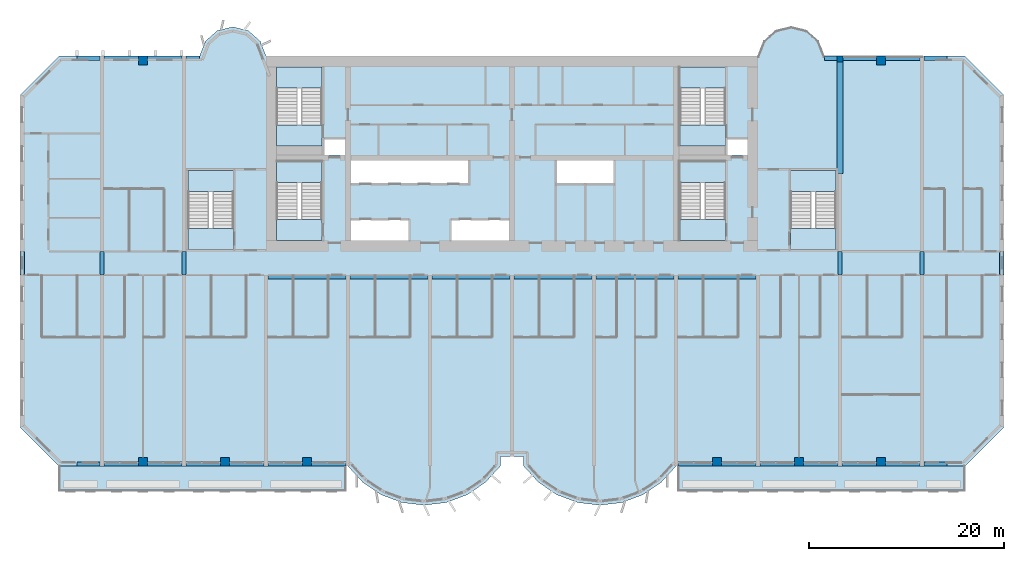
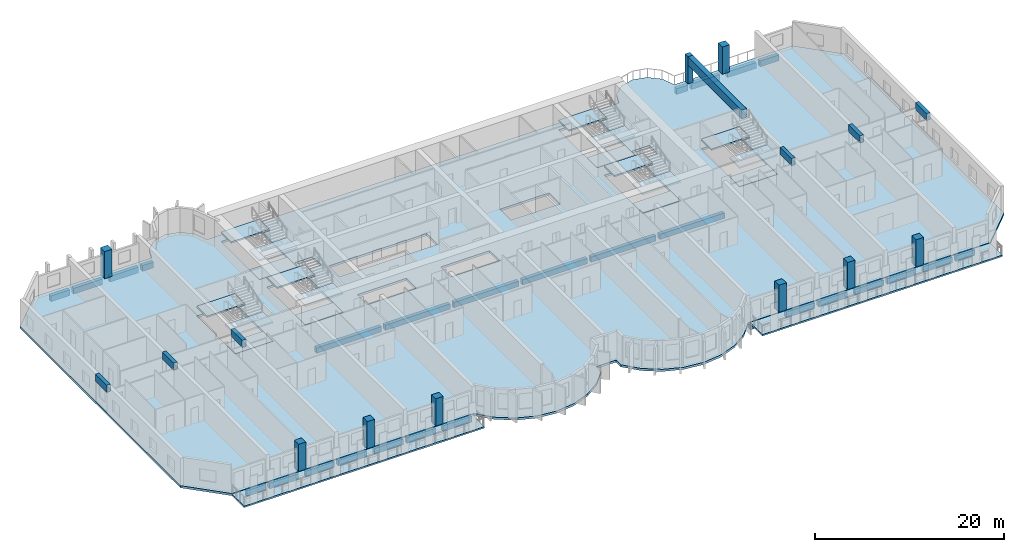
# One storey, part 1 of 14: 35 beams, 21 slabs, 9 columns, 6 elements without a shape of their own.
"""IFC4 building model written with IfcOpenShell, lengths in metres."""

from ifc_helpers import new_model, si_unit, direction, frame, origin, origin_2d, place, context, subcontext, project, spatial, polyline, rectangle, outline, extrude, source, transform, mapped, material, layer, layer_set, material_profile, profile_set, type_object, element, aggregate, save


model = new_model("IFC4")

# Units and contexts
model_context = context("Model", 3, precision=1e-05, world=origin(), true_north=direction((0.0, 1.0)))
body_context = subcontext(model_context, "Body", "Model", "MODEL_VIEW")
ifc_project = project(units=[si_unit("LENGTHUNIT", "METRE"), si_unit("AREAUNIT", "SQUARE_METRE"), si_unit("VOLUMEUNIT", "CUBIC_METRE"), si_unit("PLANEANGLEUNIT", "RADIAN"), si_unit("MASSUNIT", "GRAM", prefix="KILO")], contexts=[model_context])

# Site, building, storey
site_placement = place(None, origin())
site = spatial("IfcSite", under=ifc_project, at=site_placement, CompositionType="ELEMENT")
building_placement = place(site_placement, origin())
building = spatial("IfcBuilding", under=site, at=building_placement, Name="Vanashikhar Sky Hotel", CompositionType="ELEMENT")
storey_placement = place(building_placement, frame((0.0, 0.0, 43.0)))
storey = spatial("IfcBuildingStorey", under=building, at=storey_placement, Name="L09", CompositionType="ELEMENT", Elevation=43.0)

# Columns
ifc_material_1 = material(Name="Concrete M70", Category="concrete")
ifc_material_profile_1 = material_profile(ifc_material_1, rectangle(XDim=0.89990234375, YDim=0.89990234375, at=origin_2d()))
ifc_profile_set_1 = profile_set([ifc_material_profile_1], Name="RC 900x900 column Concrete M70")
column_type_1 = type_object("IfcColumnType", Name="RC 900x900 column Concrete M70", PredefinedType="COLUMN", material=ifc_profile_set_1)
shared_shape_1 = source(origin(), body_context, "Body", "SweptSolid", [
    extrude(rectangle(XDim=0.89990234375, YDim=0.89990234375, at=origin_2d()), origin(), (0.0, 0.0, 1.0), 3.52001953125),
])
for number, where, z_axis, x_axis, name in (
    (1, (12.60009765625, 0.449951171875, 0.0), (0.0, 0.0, 1.0), (1.0, 0.0, 0.0), "CL-L09-CF02"),
    (2, (21.0, 0.449951171875, 0.0), (0.0, 0.0, 1.0), (1.0, 0.0, 0.0), "CL-L09-CF03"),
    (3, (29.39990234375, 0.449951171875, 0.0), (0.0, 0.0, 1.0), (1.0, 0.0, 0.0), "CL-L09-CF04"),
    (4, (71.39990234375, 0.449951171875, 0.0), (0.0, 0.0, 1.0), (1.0, 0.0, 0.0), "CL-L09-CF09"),
    (5, (79.800048828125, 0.449951171875, 0.0), (0.0, 0.0, 1.0), (1.0, 0.0, 0.0), "CL-L09-CF10"),
    (6, (88.199951171875, 0.449951171875, 0.0), (0.0, 0.0, 1.0), (1.0, 0.0, 0.0), "CL-L09-CF11"),
    (7, (12.60009765625, 41.550048828125, 0.0), (0.0, 0.0, 1.0), (1.0, 0.0, 0.0), "CL-L09-CR02"),
    (8, (88.199951171875, 41.550048828125, 0.0), (0.0, 0.0, 1.0), (1.0, 0.0, 0.0), "CL-L09-CR11"),
):
    element("IfcColumn", number, at=place(storey_placement, frame(where, z_axis=z_axis, x_axis=x_axis)), inside=storey, type_object=column_type_1, Name=name, PredefinedType="COLUMN", context=body_context, shape_type="MappedRepresentation", body=[
        mapped(shared_shape_1, transform((0.0, 0.0, 0.0), scale=1.0)),
    ])
ifc_material_profile_2 = material_profile(ifc_material_1, rectangle(XDim=0.60009765625, YDim=0.60009765625, at=origin_2d()))
ifc_profile_set_2 = profile_set([ifc_material_profile_2], Name="RC 600x600 column Concrete M70")
column_type_2 = type_object("IfcColumnType", Name="RC 600x600 column Concrete M70", PredefinedType="COLUMN", material=ifc_profile_set_2)
shared_shape_2 = source(origin(), body_context, "Body", "SweptSolid", [
    extrude(rectangle(XDim=0.60009765625, YDim=0.60009765625, at=origin_2d()), origin(), (0.0, 0.0, 1.0), 3.52001953125),
])
column_placement = place(storey_placement, frame((84.0, 41.699951171875, 0.0), z_axis=(0.0, 0.0, 1.0), x_axis=(1.0, 0.0, 0.0)))
element("IfcColumn", 9, at=column_placement, inside=storey, type_object=column_type_2, Name="CL-L09-CRF", PredefinedType="COLUMN", context=body_context, shape_type="MappedRepresentation", body=[
    mapped(shared_shape_2, transform((0.0, 0.0, 0.0), scale=1.0)),
])

# Beams
ifc_material_2 = material(Name="Concrete M50", Category="concrete")
ifc_material_profile_3 = material_profile(ifc_material_2, rectangle(XDim=0.449951171875, YDim=0.89990234375, at=origin_2d()))
ifc_profile_set_3 = profile_set([ifc_material_profile_3], Name="RC 450x900 beam Concrete M50")
beam_type_1 = type_object("IfcBeamType", Name="RC 450x900 beam Concrete M50", PredefinedType="LINTEL", material=ifc_profile_set_3)
shared_shape_3 = source(origin(), body_context, "Body", "SweptSolid", [
    extrude(rectangle(XDim=0.449951171875, YDim=0.89990234375, at=origin_2d()), origin(), (0.0, 0.0, 1.0), 2.39990234375),
])
for number, where, z_axis, x_axis, name in (
    (10, (0.22509765625, 19.60009765625, 3.070068359375), (0.0, 1.0, 0.0), (-1.0, 0.0, 0.0), "LB-L09-XW01"),
    (11, (8.39990234375, 19.60009765625, 3.070068359375), (0.0, 1.0, 0.0), (-1.0, 0.0, 0.0), "LB-L09-XW02"),
    (12, (16.800048828125, 19.60009765625, 3.070068359375), (0.0, 1.0, 0.0), (-1.0, 0.0, 0.0), "LB-L09-XW03"),
    (13, (84.0, 19.60009765625, 3.070068359375), (0.0, 1.0, 0.0), (-1.0, 0.0, 0.0), "LB-L09-XW11"),
    (14, (92.39990234375, 19.60009765625, 3.070068359375), (0.0, 1.0, 0.0), (-1.0, 0.0, 0.0), "LB-L09-XW12"),
    (15, (100.574951171875, 19.60009765625, 3.070068359375), (0.0, 1.0, 0.0), (-1.0, 0.0, 0.0), "LB-L09-XW13"),
):
    element("IfcBeam", number, at=place(storey_placement, frame(where, z_axis=z_axis, x_axis=x_axis)), inside=storey, type_object=beam_type_1, Name=name, PredefinedType="LINTEL", context=body_context, shape_type="MappedRepresentation", body=[
        mapped(shared_shape_3, transform((0.0, 0.0, 0.0), scale=1.0)),
    ])
ifc_material_profile_4 = material_profile(ifc_material_2, rectangle(XDim=0.449951171875, YDim=0.75, at=origin_2d()))
ifc_profile_set_4 = profile_set([ifc_material_profile_4], Name="RC 450x750 beam Concrete M50")
beam_type_2 = type_object("IfcBeamType", Name="RC 450x750 beam Concrete M50", PredefinedType="SPANDREL", material=ifc_profile_set_4)
shared_shape_4 = source(origin(), body_context, "Body", "SweptSolid", [
    extrude(rectangle(XDim=0.449951171875, YDim=0.75, at=origin_2d()), origin(), (0.0, 0.0, 1.0), 3.52490234375),
])
for number, where, z_axis, x_axis, name in (
    (16, (8.625, 0.22509765625, -0.655029296875), (1.0, 0.0, 0.0), (0.0, 1.0, 0.0), "EB-L09-F01"),
    (17, (13.050048828125, 0.22509765625, -0.655029296875), (1.0, 0.0, 0.0), (0.0, 1.0, 0.0), "EB-L09-F02"),
    (18, (25.425048828125, 0.22509765625, -0.655029296875), (1.0, 0.0, 0.0), (0.0, 1.0, 0.0), "EB-L09-F05"),
    (19, (29.85009765625, 0.22509765625, -0.655029296875), (1.0, 0.0, 0.0), (0.0, 1.0, 0.0), "EB-L09-F06"),
    (20, (67.425048828125, 0.22509765625, -0.655029296875), (1.0, 0.0, 0.0), (0.0, 1.0, 0.0), "EB-L09-F08"),
    (21, (71.85009765625, 0.22509765625, -0.655029296875), (1.0, 0.0, 0.0), (0.0, 1.0, 0.0), "EB-L09-F09"),
    (22, (80.25, 0.22509765625, -0.655029296875), (1.0, 0.0, 0.0), (0.0, 1.0, 0.0), "EB-L09-F11"),
    (23, (84.22509765625, 0.22509765625, -0.655029296875), (1.0, 0.0, 0.0), (0.0, 1.0, 0.0), "EB-L09-F12"),
    (24, (8.625, 41.77490234375, -0.655029296875), (1.0, 0.0, 0.0), (0.0, 1.0, 0.0), "EB-L09-R01"),
    (25, (13.050048828125, 41.77490234375, -0.655029296875), (1.0, 0.0, 0.0), (0.0, 1.0, 0.0), "EB-L09-R02"),
    (26, (84.22509765625, 41.77490234375, -0.655029296875), (1.0, 0.0, 0.0), (0.0, 1.0, 0.0), "EB-L09-R05"),
):
    element("IfcBeam", number, at=place(storey_placement, frame(where, z_axis=z_axis, x_axis=x_axis)), inside=storey, type_object=beam_type_2, Name=name, PredefinedType="SPANDREL", context=body_context, shape_type="MappedRepresentation", body=[
        mapped(shared_shape_4, transform((0.0, 0.0, 0.0), scale=1.0)),
    ])
shared_shape_5 = source(origin(), body_context, "Body", "SweptSolid", [
    extrude(rectangle(XDim=0.449951171875, YDim=0.75, at=origin_2d()), origin(), (0.0, 0.0, 1.0), 3.525146484375),
])
for number, where, z_axis, x_axis, name in (
    (27, (17.02490234375, 0.22509765625, -0.655029296875), (1.0, 0.0, 0.0), (0.0, 1.0, 0.0), "EB-L09-F03"),
    (28, (21.449951171875, 0.22509765625, -0.655029296875), (1.0, 0.0, 0.0), (0.0, 1.0, 0.0), "EB-L09-F04"),
    (29, (75.824951171875, 0.22509765625, -0.655029296875), (1.0, 0.0, 0.0), (0.0, 1.0, 0.0), "EB-L09-F10"),
    (30, (88.64990234375, 0.22509765625, -0.655029296875), (1.0, 0.0, 0.0), (0.0, 1.0, 0.0), "EB-L09-F13"),
    (31, (88.64990234375, 41.77490234375, -0.655029296875), (1.0, 0.0, 0.0), (0.0, 1.0, 0.0), "EB-L09-R06"),
):
    element("IfcBeam", number, at=place(storey_placement, frame(where, z_axis=z_axis, x_axis=x_axis)), inside=storey, type_object=beam_type_2, Name=name, PredefinedType="SPANDREL", context=body_context, shape_type="MappedRepresentation", body=[
        mapped(shared_shape_5, transform((0.0, 0.0, 0.0), scale=1.0)),
    ])
ifc_material_profile_5 = material_profile(ifc_material_2, rectangle(XDim=0.449951171875, YDim=0.75, at=origin_2d()))
ifc_profile_set_5 = profile_set([ifc_material_profile_5], Name="RC 450x750 cantilever beam Concrete M50")
beam_type_3 = type_object("IfcBeamType", Name="RC 450x750 cantilever beam Concrete M50", PredefinedType="SPANDREL", material=ifc_profile_set_5)
shared_shape_6 = source(origin(), body_context, "Body", "SweptSolid", [
    extrude(rectangle(XDim=0.449951171875, YDim=0.75, at=origin_2d()), origin(), (0.0, 0.0, 1.0), 2.330078125),
])
for number, where, z_axis, x_axis, name in (
    (32, (5.844970703125, 0.22509765625, -0.655029296875), (1.0, 0.0, 0.0), (0.0, 1.0, 0.0), "EB-L09-F07"),
    (33, (92.625, 0.22509765625, -0.655029296875), (1.0, 0.0, 0.0), (0.0, 1.0, 0.0), "EB-L09-F14"),
    (34, (5.844970703125, 41.77490234375, -0.655029296875), (1.0, 0.0, 0.0), (0.0, 1.0, 0.0), "EB-L09-R03"),
    (35, (92.625, 41.77490234375, -0.655029296875), (1.0, 0.0, 0.0), (0.0, 1.0, 0.0), "EB-L09-R08"),
):
    element("IfcBeam", number, at=place(storey_placement, frame(where, z_axis=z_axis, x_axis=x_axis)), inside=storey, type_object=beam_type_3, Name=name, PredefinedType="SPANDREL", context=body_context, shape_type="MappedRepresentation", body=[
        mapped(shared_shape_6, transform((0.0, 0.0, 0.0), scale=1.0)),
    ])
shared_shape_7 = source(origin(), body_context, "Body", "SweptSolid", [
    extrude(rectangle(XDim=0.449951171875, YDim=0.75, at=origin_2d()), origin(), (0.0, 0.0, 1.0), 1.375),
])
for number, where, z_axis, x_axis, name in (
    (36, (17.02490234375, 41.77490234375, -0.655029296875), (1.0, 0.0, 0.0), (0.0, 1.0, 0.0), "EB-L09-R04"),
    (37, (82.39990234375, 41.77490234375, -0.655029296875), (1.0, 0.0, 0.0), (0.0, 1.0, 0.0), "EB-L09-R07"),
):
    element("IfcBeam", number, at=place(storey_placement, frame(where, z_axis=z_axis, x_axis=x_axis)), inside=storey, type_object=beam_type_3, Name=name, PredefinedType="SPANDREL", context=body_context, shape_type="MappedRepresentation", body=[
        mapped(shared_shape_7, transform((0.0, 0.0, 0.0), scale=1.0)),
    ])
ifc_material_profile_6 = material_profile(ifc_material_2, rectangle(XDim=0.449951171875, YDim=0.699951171875, at=origin_2d()))
ifc_profile_set_6 = profile_set([ifc_material_profile_6], Name="RC 450x700 beam Concrete M50")
beam_type_4 = type_object("IfcBeamType", Name="RC 450x700 beam Concrete M50", PredefinedType="BEAM", material=ifc_profile_set_6)
shared_shape_8 = source(origin(), body_context, "Body", "SweptSolid", [
    extrude(rectangle(XDim=0.449951171875, YDim=0.699951171875, at=origin_2d()), origin(), (0.0, 0.0, 1.0), 7.949951171875),
])
for number, where, z_axis, x_axis, name in (
    (38, (25.425048828125, 19.375, -0.6298828125), (1.0, 0.0, 0.0), (0.0, 1.0, 0.0), "CB-L09-01"),
    (39, (33.824951171875, 19.375, -0.6298828125), (1.0, 0.0, 0.0), (0.0, 1.0, 0.0), "CB-L09-02"),
    (40, (42.22509765625, 19.375, -0.6298828125), (1.0, 0.0, 0.0), (0.0, 1.0, 0.0), "CB-L09-03"),
    (41, (50.625, 19.375, -0.6298828125), (1.0, 0.0, 0.0), (0.0, 1.0, 0.0), "CB-L09-04"),
    (42, (67.425048828125, 19.375, -0.6298828125), (1.0, 0.0, 0.0), (0.0, 1.0, 0.0), "CB-L09-06"),
):
    element("IfcBeam", number, at=place(storey_placement, frame(where, z_axis=z_axis, x_axis=x_axis)), inside=storey, type_object=beam_type_4, Name=name, PredefinedType="BEAM", context=body_context, shape_type="MappedRepresentation", body=[
        mapped(shared_shape_8, transform((0.0, 0.0, 0.0), scale=1.0)),
    ])
shared_shape_9 = source(origin(), body_context, "Body", "SweptSolid", [
    extrude(rectangle(XDim=0.449951171875, YDim=0.699951171875, at=origin_2d()), origin(), (0.0, 0.0, 1.0), 7.9501953125),
])
beam_1_placement = place(storey_placement, frame((59.02490234375, 19.375, -0.6298828125), z_axis=(1.0, 0.0, 0.0), x_axis=(0.0, 1.0, 0.0)))
element("IfcBeam", 43, at=beam_1_placement, inside=storey, type_object=beam_type_4, Name="CB-L09-05", PredefinedType="BEAM", context=body_context, shape_type="MappedRepresentation", body=[
    mapped(shared_shape_9, transform((0.0, 0.0, 0.0), scale=1.0)),
])
ifc_material_profile_7 = material_profile(ifc_material_2, rectangle(XDim=0.60009765625, YDim=1.10009765625, at=origin_2d()))
ifc_profile_set_7 = profile_set([ifc_material_profile_7], Name="RC 600x1100 beam Concrete M50")
beam_type_5 = type_object("IfcBeamType", Name="RC 600x1100 beam Concrete M50", PredefinedType="BEAM", material=ifc_profile_set_7)
shared_shape_10 = source(origin(), body_context, "Body", "SweptSolid", [
    extrude(rectangle(XDim=0.60009765625, YDim=1.10009765625, at=origin_2d()), origin(), (0.0, 0.0, 1.0), 11.39990234375),
])
beam_2_placement = place(storey_placement, frame((84.0, 30.0, 2.969970703125), z_axis=(0.0, 1.0, 0.0), x_axis=(-1.0, 0.0, 0.0)))
element("IfcBeam", 44, at=beam_2_placement, inside=storey, type_object=beam_type_5, Name="LB-L09-XW11-O1", PredefinedType="BEAM", context=body_context, shape_type="MappedRepresentation", body=[
    mapped(shared_shape_10, transform((0.0, 0.0, 0.0), scale=1.0)),
])

# Slabs
ifc_material_3 = material(Name="Concrete M40", Category="concrete")
ifc_layer_1 = layer(ifc_material_3, 0.280029296875)
ifc_layer_set_1 = layer_set([ifc_layer_1], Name="Floor slab 280 mm")
slab_type_1 = type_object("IfcSlabType", Name="Floor slab 280 mm", PredefinedType="FLOOR", material=ifc_layer_set_1)
shared_shape_11 = source(origin(), body_context, "Body", "SweptSolid", [
    extrude(outline(polyline([(49.199951171875, 0.0), (49.199951171875, 1.0), (51.60009765625, 1.0), (51.60009765625, 0.0), (53.133056640625, -1.674072265625), (55.01708984375, -2.94189453125), (57.14599609375, -3.73193359375), (59.39990234375, -4.0), (61.654052734375, -3.73193359375), (63.782958984375, -2.94189453125), (65.6669921875, -1.674072265625), (67.199951171875, 0.0), (96.800048828125, 0.0), (100.800048828125, 4.0), (100.800048828125, 38.0), (96.800048828125, 42.0), (82.39990234375, 42.0), (81.81494140625, 43.527099609375), (80.587890625, 44.610107421875), (79.0, 45.0), (77.412109375, 44.610107421875), (76.18505859375, 43.527099609375), (75.60009765625, 42.0), (25.199951171875, 42.0), (24.614990234375, 43.527099609375), (23.387939453125, 44.610107421875), (21.800048828125, 45.0), (20.2119140625, 44.610107421875), (18.985107421875, 43.527099609375), (18.39990234375, 42.0), (4.0, 42.0), (0.0, 38.0), (0.0, 4.0), (4.0, 0.0), (33.60009765625, 0.0), (35.133056640625, -1.674072265625), (37.01708984375, -2.94189453125), (39.14599609375, -3.73193359375), (41.39990234375, -4.0), (43.654052734375, -3.73193359375), (45.782958984375, -2.94189453125), (47.6669921875, -1.674072265625), (49.199951171875, 0.0)]), holes=[polyline([(33.300048828125, 33.60009765625), (31.050048828125, 33.60009765625), (31.050048828125, 31.89990234375), (33.300048828125, 31.89990234375), (33.300048828125, 33.60009765625)]), polyline([(33.89990234375, 25.199951171875), (33.89990234375, 23.10009765625), (39.89990234375, 23.10009765625), (39.89990234375, 25.199951171875), (33.89990234375, 25.199951171875)]), polyline([(33.89990234375, 31.300048828125), (33.89990234375, 29.0), (45.89990234375, 29.0), (45.89990234375, 31.300048828125), (33.89990234375, 31.300048828125)]), polyline([(44.10009765625, 25.199951171875), (44.10009765625, 23.10009765625), (50.10009765625, 23.10009765625), (50.10009765625, 25.199951171875), (44.10009765625, 25.199951171875)]), polyline([(54.89990234375, 31.300048828125), (54.89990234375, 29.0), (60.89990234375, 29.0), (60.89990234375, 31.300048828125), (54.89990234375, 31.300048828125)]), polyline([(74.5, 33.60009765625), (72.35009765625, 33.60009765625), (72.35009765625, 31.89990234375), (74.5, 31.89990234375), (74.5, 33.60009765625)]), polyline([(30.949951171875, 23.10009765625), (30.949951171875, 31.199951171875), (26.300048828125, 31.199951171875), (26.300048828125, 23.10009765625), (30.949951171875, 23.10009765625)]), polyline([(72.25, 23.10009765625), (72.25, 31.199951171875), (67.60009765625, 31.199951171875), (67.60009765625, 23.10009765625), (72.25, 23.10009765625)]), polyline([(30.949951171875, 32.800048828125), (30.949951171875, 40.89990234375), (26.300048828125, 40.89990234375), (26.300048828125, 32.800048828125), (30.949951171875, 32.800048828125)]), polyline([(72.25, 32.800048828125), (72.25, 40.89990234375), (67.60009765625, 40.89990234375), (67.60009765625, 32.800048828125), (72.25, 32.800048828125)]), polyline([(83.60009765625, 22.199951171875), (83.60009765625, 30.300048828125), (78.949951171875, 30.300048828125), (78.949951171875, 22.199951171875), (83.60009765625, 22.199951171875)]), polyline([(21.85009765625, 22.199951171875), (21.85009765625, 30.300048828125), (17.199951171875, 30.300048828125), (17.199951171875, 22.199951171875), (21.85009765625, 22.199951171875)])]), origin(), (0.0, 0.0, 1.0), 0.280029296875),
])
slab_1_placement = place(storey_placement, frame((0.0, 0.0, -0.280029296875)))
element("IfcSlab", 45, at=slab_1_placement, inside=storey, type_object=slab_type_1, Name="Floor slab L09", PredefinedType="FLOOR", context=body_context, shape_type="MappedRepresentation", body=[
    mapped(shared_shape_11, transform((0.0, 0.0, 0.0), scale=1.0)),
])
ifc_layer_2 = layer(ifc_material_3, 0.199951171875)
ifc_layer_set_2 = layer_set([ifc_layer_2], Name="Balcony slab 200 mm")
slab_type_2 = type_object("IfcSlabType", Name="Balcony slab 200 mm", PredefinedType="USERDEFINED", material=ifc_layer_set_2)
shared_shape_12 = source(origin(), body_context, "Body", "SweptSolid", [
    extrude(outline(polyline([(4.0, -2.60009765625), (33.39990234375, -2.60009765625), (33.39990234375, 0.0), (4.0, 0.0), (4.0, -2.60009765625)])), origin(), (0.0, 0.0, 1.0), 0.199951171875),
])
slab_2_placement = place(storey_placement, frame((0.0, 0.0, -0.25)))
element("IfcSlab", 46, at=slab_2_placement, inside=storey, type_object=slab_type_2, Name="Balcony slab L09 1", ObjectType="BALCONY", PredefinedType="USERDEFINED", context=body_context, shape_type="MappedRepresentation", body=[
    mapped(shared_shape_12, transform((0.0, 0.0, 0.0), scale=1.0)),
])
shared_shape_13 = source(origin(), body_context, "Body", "SweptSolid", [
    extrude(outline(polyline([(67.39990234375, -2.60009765625), (96.800048828125, -2.60009765625), (96.800048828125, 0.0), (67.39990234375, 0.0), (67.39990234375, -2.60009765625)])), origin(), (0.0, 0.0, 1.0), 0.199951171875),
])
slab_3_placement = place(storey_placement, frame((0.0, 0.0, -0.25)))
element("IfcSlab", 47, at=slab_3_placement, inside=storey, type_object=slab_type_2, Name="Balcony slab L09 2", ObjectType="BALCONY", PredefinedType="USERDEFINED", context=body_context, shape_type="MappedRepresentation", body=[
    mapped(shared_shape_13, transform((0.0, 0.0, 0.0), scale=1.0)),
])

# Stair, slabs
stair_type = type_object("IfcStairType", Name="Exit stair 2150", PredefinedType="DOUBLE_RETURN_STAIR", material=ifc_material_3)
stair_1_placement = place(storey_placement, origin())
stair_1 = element("IfcStair", 48, at=stair_1_placement, inside=storey, type_object=stair_type, Name="L09 Exit stair 1", PredefinedType="DOUBLE_RETURN_STAIR")
ifc_layer_3 = layer(ifc_material_3, 0.199951171875)
ifc_layer_set_3 = layer_set([ifc_layer_3], Name="Stair landing 200")
slab_type_3 = type_object("IfcSlabType", Name="Stair landing 200", PredefinedType="LANDING", material=ifc_layer_set_3)
shared_shape_14 = source(origin(), body_context, "Body", "SweptSolid", [
    extrude(outline(polyline([(30.949951171875, 29.050048828125), (30.949951171875, 31.199951171875), (26.300048828125, 31.199951171875), (26.300048828125, 29.050048828125), (30.949951171875, 29.050048828125)])), origin(), (0.0, 0.0, 1.0), 0.199951171875),
])
slab_4_placement = place(storey_placement, frame((0.0, 0.0, 1.066650390625)))
slab_4 = element("IfcSlab", 49, at=slab_4_placement, type_object=slab_type_3, Name="ST-C1 landing 1", PredefinedType="LANDING", context=body_context, shape_type="MappedRepresentation", body=[
    mapped(shared_shape_14, transform((0.0, 0.0, 0.0), scale=1.0)),
])
shared_shape_15 = source(origin(), body_context, "Body", "SweptSolid", [
    extrude(outline(polyline([(30.949951171875, 23.10009765625), (30.949951171875, 25.25), (26.300048828125, 25.25), (26.300048828125, 23.10009765625), (30.949951171875, 23.10009765625)])), origin(), (0.0, 0.0, 1.0), 0.2001953125),
])
slab_5_placement = place(storey_placement, frame((0.0, 0.0, 2.333251953125)))
slab_5 = element("IfcSlab", 50, at=slab_5_placement, type_object=slab_type_3, Name="ST-C1 landing 2", PredefinedType="LANDING", context=body_context, shape_type="MappedRepresentation", body=[
    mapped(shared_shape_15, transform((0.0, 0.0, 0.0), scale=1.0)),
])
aggregate(stair_1, [slab_4, slab_5])

# Slab
ifc_layer_4 = layer(ifc_material_3, 0.280029296875)
ifc_layer_set_4 = layer_set([ifc_layer_4], Name="Stair floor landing 280")
slab_type_4 = type_object("IfcSlabType", Name="Stair floor landing 280", PredefinedType="LANDING", material=ifc_layer_set_4)
shared_shape_16 = source(origin(), body_context, "Body", "SweptSolid", [
    extrude(outline(polyline([(30.949951171875, 23.10009765625), (30.949951171875, 25.25), (26.300048828125, 25.25), (26.300048828125, 23.10009765625), (30.949951171875, 23.10009765625)])), origin(), (0.0, 0.0, 1.0), 0.280029296875),
])
slab_6_placement = place(storey_placement, frame((0.0, 0.0, -0.280029296875)))
element("IfcSlab", 51, at=slab_6_placement, inside=storey, type_object=slab_type_4, Name="Exit stair 1 floor landing", PredefinedType="LANDING", context=body_context, shape_type="MappedRepresentation", body=[
    mapped(shared_shape_16, transform((0.0, 0.0, 0.0), scale=1.0)),
])

# Stair, slabs
stair_2_placement = place(storey_placement, origin())
stair_2 = element("IfcStair", 52, at=stair_2_placement, inside=storey, type_object=stair_type, Name="L09 Exit stair 2", PredefinedType="DOUBLE_RETURN_STAIR")
shared_shape_17 = source(origin(), body_context, "Body", "SweptSolid", [
    extrude(outline(polyline([(72.25, 29.050048828125), (72.25, 31.199951171875), (67.60009765625, 31.199951171875), (67.60009765625, 29.050048828125), (72.25, 29.050048828125)])), origin(), (0.0, 0.0, 1.0), 0.199951171875),
])
slab_7_placement = place(storey_placement, frame((0.0, 0.0, 1.066650390625)))
slab_7 = element("IfcSlab", 53, at=slab_7_placement, type_object=slab_type_3, Name="ST-C2 landing 1", PredefinedType="LANDING", context=body_context, shape_type="MappedRepresentation", body=[
    mapped(shared_shape_17, transform((0.0, 0.0, 0.0), scale=1.0)),
])
shared_shape_18 = source(origin(), body_context, "Body", "SweptSolid", [
    extrude(outline(polyline([(72.25, 23.10009765625), (72.25, 25.25), (67.60009765625, 25.25), (67.60009765625, 23.10009765625), (72.25, 23.10009765625)])), origin(), (0.0, 0.0, 1.0), 0.2001953125),
])
slab_8_placement = place(storey_placement, frame((0.0, 0.0, 2.333251953125)))
slab_8 = element("IfcSlab", 54, at=slab_8_placement, type_object=slab_type_3, Name="ST-C2 landing 2", PredefinedType="LANDING", context=body_context, shape_type="MappedRepresentation", body=[
    mapped(shared_shape_18, transform((0.0, 0.0, 0.0), scale=1.0)),
])
aggregate(stair_2, [slab_7, slab_8])

# Slab
shared_shape_19 = source(origin(), body_context, "Body", "SweptSolid", [
    extrude(outline(polyline([(72.25, 23.10009765625), (72.25, 25.25), (67.60009765625, 25.25), (67.60009765625, 23.10009765625), (72.25, 23.10009765625)])), origin(), (0.0, 0.0, 1.0), 0.280029296875),
])
slab_9_placement = place(storey_placement, frame((0.0, 0.0, -0.280029296875)))
element("IfcSlab", 55, at=slab_9_placement, inside=storey, type_object=slab_type_4, Name="Exit stair 2 floor landing", PredefinedType="LANDING", context=body_context, shape_type="MappedRepresentation", body=[
    mapped(shared_shape_19, transform((0.0, 0.0, 0.0), scale=1.0)),
])

# Stair, slabs
stair_3_placement = place(storey_placement, origin())
stair_3 = element("IfcStair", 56, at=stair_3_placement, inside=storey, type_object=stair_type, Name="L09 Exit stair 3", PredefinedType="DOUBLE_RETURN_STAIR")
shared_shape_20 = source(origin(), body_context, "Body", "SweptSolid", [
    extrude(outline(polyline([(21.85009765625, 28.14990234375), (21.85009765625, 30.300048828125), (17.199951171875, 30.300048828125), (17.199951171875, 28.14990234375), (21.85009765625, 28.14990234375)])), origin(), (0.0, 0.0, 1.0), 0.199951171875),
])
slab_10_placement = place(storey_placement, frame((0.0, 0.0, 1.066650390625)))
slab_10 = element("IfcSlab", 57, at=slab_10_placement, type_object=slab_type_3, Name="ST-W landing 1", PredefinedType="LANDING", context=body_context, shape_type="MappedRepresentation", body=[
    mapped(shared_shape_20, transform((0.0, 0.0, 0.0), scale=1.0)),
])
shared_shape_21 = source(origin(), body_context, "Body", "SweptSolid", [
    extrude(outline(polyline([(21.85009765625, 22.199951171875), (21.85009765625, 24.35009765625), (17.199951171875, 24.35009765625), (17.199951171875, 22.199951171875), (21.85009765625, 22.199951171875)])), origin(), (0.0, 0.0, 1.0), 0.2001953125),
])
slab_11_placement = place(storey_placement, frame((0.0, 0.0, 2.333251953125)))
slab_11 = element("IfcSlab", 58, at=slab_11_placement, type_object=slab_type_3, Name="ST-W landing 2", PredefinedType="LANDING", context=body_context, shape_type="MappedRepresentation", body=[
    mapped(shared_shape_21, transform((0.0, 0.0, 0.0), scale=1.0)),
])
aggregate(stair_3, [slab_10, slab_11])

# Slab
shared_shape_22 = source(origin(), body_context, "Body", "SweptSolid", [
    extrude(outline(polyline([(21.85009765625, 22.199951171875), (21.85009765625, 24.35009765625), (17.199951171875, 24.35009765625), (17.199951171875, 22.199951171875), (21.85009765625, 22.199951171875)])), origin(), (0.0, 0.0, 1.0), 0.280029296875),
])
slab_12_placement = place(storey_placement, frame((0.0, 0.0, -0.280029296875)))
element("IfcSlab", 59, at=slab_12_placement, inside=storey, type_object=slab_type_4, Name="Exit stair 3 floor landing", PredefinedType="LANDING", context=body_context, shape_type="MappedRepresentation", body=[
    mapped(shared_shape_22, transform((0.0, 0.0, 0.0), scale=1.0)),
])

# Stair, slabs
stair_4_placement = place(storey_placement, origin())
stair_4 = element("IfcStair", 60, at=stair_4_placement, inside=storey, type_object=stair_type, Name="L09 Exit stair 4", PredefinedType="DOUBLE_RETURN_STAIR")
shared_shape_23 = source(origin(), body_context, "Body", "SweptSolid", [
    extrude(outline(polyline([(83.60009765625, 28.14990234375), (83.60009765625, 30.300048828125), (78.949951171875, 30.300048828125), (78.949951171875, 28.14990234375), (83.60009765625, 28.14990234375)])), origin(), (0.0, 0.0, 1.0), 0.199951171875),
])
slab_13_placement = place(storey_placement, frame((0.0, 0.0, 1.066650390625)))
slab_13 = element("IfcSlab", 61, at=slab_13_placement, type_object=slab_type_3, Name="ST-E landing 1", PredefinedType="LANDING", context=body_context, shape_type="MappedRepresentation", body=[
    mapped(shared_shape_23, transform((0.0, 0.0, 0.0), scale=1.0)),
])
shared_shape_24 = source(origin(), body_context, "Body", "SweptSolid", [
    extrude(outline(polyline([(83.60009765625, 22.199951171875), (83.60009765625, 24.35009765625), (78.949951171875, 24.35009765625), (78.949951171875, 22.199951171875), (83.60009765625, 22.199951171875)])), origin(), (0.0, 0.0, 1.0), 0.2001953125),
])
slab_14_placement = place(storey_placement, frame((0.0, 0.0, 2.333251953125)))
slab_14 = element("IfcSlab", 62, at=slab_14_placement, type_object=slab_type_3, Name="ST-E landing 2", PredefinedType="LANDING", context=body_context, shape_type="MappedRepresentation", body=[
    mapped(shared_shape_24, transform((0.0, 0.0, 0.0), scale=1.0)),
])
aggregate(stair_4, [slab_13, slab_14])

# Slab
shared_shape_25 = source(origin(), body_context, "Body", "SweptSolid", [
    extrude(outline(polyline([(83.60009765625, 22.199951171875), (83.60009765625, 24.35009765625), (78.949951171875, 24.35009765625), (78.949951171875, 22.199951171875), (83.60009765625, 22.199951171875)])), origin(), (0.0, 0.0, 1.0), 0.280029296875),
])
slab_15_placement = place(storey_placement, frame((0.0, 0.0, -0.280029296875)))
element("IfcSlab", 63, at=slab_15_placement, inside=storey, type_object=slab_type_4, Name="Exit stair 4 floor landing", PredefinedType="LANDING", context=body_context, shape_type="MappedRepresentation", body=[
    mapped(shared_shape_25, transform((0.0, 0.0, 0.0), scale=1.0)),
])

# Stair, slabs
stair_5_placement = place(storey_placement, origin())
stair_5 = element("IfcStair", 64, at=stair_5_placement, inside=storey, type_object=stair_type, Name="L09 Exit stair 5", PredefinedType="DOUBLE_RETURN_STAIR")
shared_shape_26 = source(origin(), body_context, "Body", "SweptSolid", [
    extrude(outline(polyline([(30.949951171875, 38.75), (30.949951171875, 40.89990234375), (26.300048828125, 40.89990234375), (26.300048828125, 38.75), (30.949951171875, 38.75)])), origin(), (0.0, 0.0, 1.0), 0.199951171875),
])
slab_16_placement = place(storey_placement, frame((0.0, 0.0, 1.066650390625)))
slab_16 = element("IfcSlab", 65, at=slab_16_placement, type_object=slab_type_3, Name="ST-C3 landing 1", PredefinedType="LANDING", context=body_context, shape_type="MappedRepresentation", body=[
    mapped(shared_shape_26, transform((0.0, 0.0, 0.0), scale=1.0)),
])
shared_shape_27 = source(origin(), body_context, "Body", "SweptSolid", [
    extrude(outline(polyline([(30.949951171875, 32.800048828125), (30.949951171875, 34.949951171875), (26.300048828125, 34.949951171875), (26.300048828125, 32.800048828125), (30.949951171875, 32.800048828125)])), origin(), (0.0, 0.0, 1.0), 0.2001953125),
])
slab_17_placement = place(storey_placement, frame((0.0, 0.0, 2.333251953125)))
slab_17 = element("IfcSlab", 66, at=slab_17_placement, type_object=slab_type_3, Name="ST-C3 landing 2", PredefinedType="LANDING", context=body_context, shape_type="MappedRepresentation", body=[
    mapped(shared_shape_27, transform((0.0, 0.0, 0.0), scale=1.0)),
])
aggregate(stair_5, [slab_16, slab_17])

# Slab
shared_shape_28 = source(origin(), body_context, "Body", "SweptSolid", [
    extrude(outline(polyline([(30.949951171875, 32.800048828125), (30.949951171875, 34.949951171875), (26.300048828125, 34.949951171875), (26.300048828125, 32.800048828125), (30.949951171875, 32.800048828125)])), origin(), (0.0, 0.0, 1.0), 0.280029296875),
])
slab_18_placement = place(storey_placement, frame((0.0, 0.0, -0.280029296875)))
element("IfcSlab", 67, at=slab_18_placement, inside=storey, type_object=slab_type_4, Name="Exit stair 5 floor landing", PredefinedType="LANDING", context=body_context, shape_type="MappedRepresentation", body=[
    mapped(shared_shape_28, transform((0.0, 0.0, 0.0), scale=1.0)),
])

# Stair, slabs
stair_6_placement = place(storey_placement, origin())
stair_6 = element("IfcStair", 68, at=stair_6_placement, inside=storey, type_object=stair_type, Name="L09 Exit stair 6", PredefinedType="DOUBLE_RETURN_STAIR")
shared_shape_29 = source(origin(), body_context, "Body", "SweptSolid", [
    extrude(outline(polyline([(72.25, 38.75), (72.25, 40.89990234375), (67.60009765625, 40.89990234375), (67.60009765625, 38.75), (72.25, 38.75)])), origin(), (0.0, 0.0, 1.0), 0.199951171875),
])
slab_19_placement = place(storey_placement, frame((0.0, 0.0, 1.066650390625)))
slab_19 = element("IfcSlab", 69, at=slab_19_placement, type_object=slab_type_3, Name="ST-C4 landing 1", PredefinedType="LANDING", context=body_context, shape_type="MappedRepresentation", body=[
    mapped(shared_shape_29, transform((0.0, 0.0, 0.0), scale=1.0)),
])
shared_shape_30 = source(origin(), body_context, "Body", "SweptSolid", [
    extrude(outline(polyline([(72.25, 32.800048828125), (72.25, 34.949951171875), (67.60009765625, 34.949951171875), (67.60009765625, 32.800048828125), (72.25, 32.800048828125)])), origin(), (0.0, 0.0, 1.0), 0.2001953125),
])
slab_20_placement = place(storey_placement, frame((0.0, 0.0, 2.333251953125)))
slab_20 = element("IfcSlab", 70, at=slab_20_placement, type_object=slab_type_3, Name="ST-C4 landing 2", PredefinedType="LANDING", context=body_context, shape_type="MappedRepresentation", body=[
    mapped(shared_shape_30, transform((0.0, 0.0, 0.0), scale=1.0)),
])
aggregate(stair_6, [slab_19, slab_20])

# Slab
shared_shape_31 = source(origin(), body_context, "Body", "SweptSolid", [
    extrude(outline(polyline([(72.25, 32.800048828125), (72.25, 34.949951171875), (67.60009765625, 34.949951171875), (67.60009765625, 32.800048828125), (72.25, 32.800048828125)])), origin(), (0.0, 0.0, 1.0), 0.280029296875),
])
slab_21_placement = place(storey_placement, frame((0.0, 0.0, -0.280029296875)))
element("IfcSlab", 71, at=slab_21_placement, inside=storey, type_object=slab_type_4, Name="Exit stair 6 floor landing", PredefinedType="LANDING", context=body_context, shape_type="MappedRepresentation", body=[
    mapped(shared_shape_31, transform((0.0, 0.0, 0.0), scale=1.0)),
])

save(model, "model.ifc")
